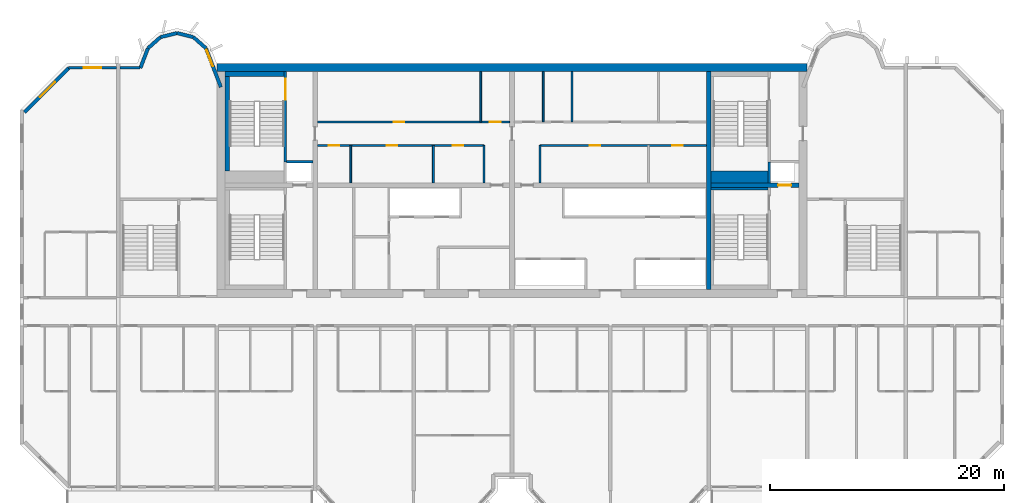
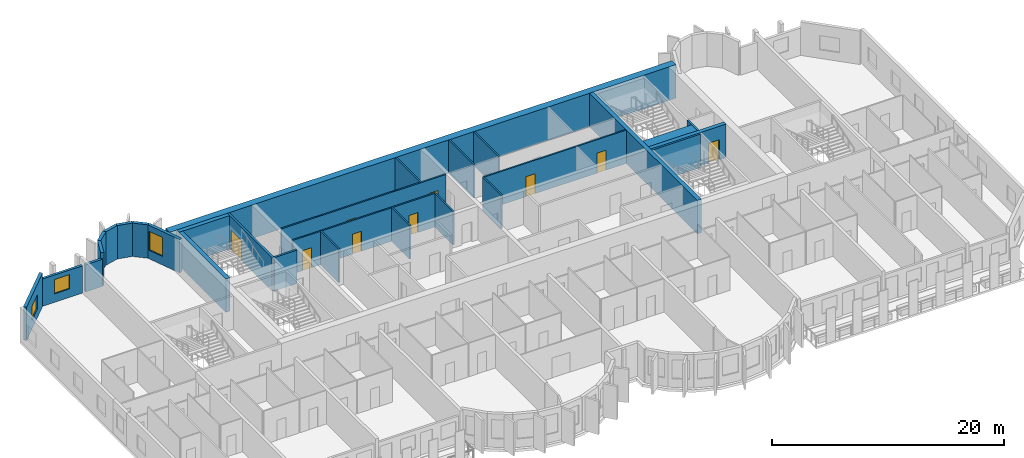
# One storey, part 7 of 13: 29 walls, 9 doors, 3 windows, 12 openings.
"""IFC4 building model written with IfcOpenShell, lengths in metres."""

from ifc_helpers import new_model, si_unit, direction, frame, frame_2d, origin, place, context, subcontext, project, spatial, rectangle, extrude, source, transform, mapped, material, layer, layer_set, type_object, element, fill, save


model = new_model("IFC4")

# Units and contexts
model_context = context("Model", 3, precision=1e-05, world=origin(), true_north=direction((0.0, 1.0)))
body_context = subcontext(model_context, "Body", "Model", "MODEL_VIEW")
ifc_project = project(units=[si_unit("LENGTHUNIT", "METRE"), si_unit("AREAUNIT", "SQUARE_METRE"), si_unit("VOLUMEUNIT", "CUBIC_METRE"), si_unit("PLANEANGLEUNIT", "RADIAN"), si_unit("MASSUNIT", "GRAM", prefix="KILO")], contexts=[model_context])

# Site, building, storey
site_placement = place(None, origin())
site = spatial("IfcSite", under=ifc_project, at=site_placement, CompositionType="ELEMENT")
building_placement = place(site_placement, origin())
building = spatial("IfcBuilding", under=site, at=building_placement, Name="Vanashikhar Sky Hotel", CompositionType="ELEMENT")
storey_placement = place(building_placement, frame((0.0, 0.0, 189.60009765625)))
storey = spatial("IfcBuildingStorey", under=building, at=storey_placement, Name="L46", CompositionType="ELEMENT", Elevation=189.60009765625)

# Walls
ifc_material_1 = material(Name="Concrete M60", Category="concrete")
ifc_layer_1 = layer(ifc_material_1, 0.39990234375)
ifc_layer_set_1 = layer_set([ifc_layer_1], Name="RC core inner wall 400 Concrete M60")
wall_type_1 = type_object("IfcWallType", Name="RC core inner wall 400 Concrete M60", PredefinedType="SHEAR", material=ifc_layer_set_1)
shared_shape_1 = source(origin(), body_context, "Body", "SweptSolid", [
    extrude(rectangle(XDim=18.60009765625, YDim=0.39990234375, at=frame_2d((9.300048828125, 0.0))), origin(), (0.0, 0.0, 1.0), 3.52001953125),
])
wall_1_placement = place(storey_placement, frame((67.199951171875, 22.699951171875, 0.0), z_axis=(0.0, 0.0, 1.0), x_axis=(0.0, 1.0, 0.0)))
element("IfcWall", 1, at=wall_1_placement, inside=storey, type_object=wall_type_1, Name="KW-L46-KX3", PredefinedType="SHEAR", context=body_context, shape_type="MappedRepresentation", body=[
    mapped(shared_shape_1, transform((0.0, 0.0, 0.0), scale=1.0)),
])
ifc_layer_2 = layer(ifc_material_1, 0.699951171875)
ifc_layer_set_2 = layer_set([ifc_layer_2], Name="RC core shell wall 700 Concrete M60")
wall_type_2 = type_object("IfcWallType", Name="RC core shell wall 700 Concrete M60", PredefinedType="SHEAR", material=ifc_layer_set_2)
shared_shape_2 = source(origin(), body_context, "Body", "SweptSolid", [
    extrude(rectangle(XDim=50.400146484375, YDim=0.699951171875, at=frame_2d((25.2001953125, 0.0))), origin(), (0.0, 0.0, 1.0), 3.52001953125),
])
wall_2_placement = place(storey_placement, frame((25.199951171875, 41.64990234375, 0.0), z_axis=(0.0, 0.0, 1.0), x_axis=(1.0, 0.0, 0.0)))
element("IfcWall", 2, at=wall_2_placement, inside=storey, type_object=wall_type_2, Name="KW-L46-KN", PredefinedType="SHEAR", context=body_context, shape_type="MappedRepresentation", body=[
    mapped(shared_shape_2, transform((0.0, 0.0, 0.0), scale=1.0)),
])

# Wall, opening, door
shared_shape_3 = source(origin(), body_context, "Body", "SweptSolid", [
    extrude(rectangle(XDim=7.5, YDim=0.39990234375, at=frame_2d((3.75, 0.0))), origin(), (0.0, 0.0, 1.0), 3.52001953125),
])
wall_3_placement = place(storey_placement, frame((67.39990234375, 31.60009765625, 0.0), z_axis=(0.0, 0.0, 1.0), x_axis=(1.0, 0.0, 0.0)))
wall_3 = element("IfcWall", 3, at=wall_3_placement, inside=storey, type_object=wall_type_1, Name="KW-L46-KY4", PredefinedType="SHEAR", context=body_context, shape_type="MappedRepresentation", body=[
    mapped(shared_shape_3, transform((0.0, 0.0, 0.0), scale=1.0)),
])
shared_shape_4 = source(origin(), body_context, "Body", "SweptSolid", [
    extrude(rectangle(XDim=1.10009765625, YDim=2.10009765625, at=frame_2d((0.550048828125, 1.050048828125))), frame((0.0, 0.2099609375, 0.0), z_axis=(0.0, -1.0, 0.0), x_axis=(1.0, 0.0, 0.0)), (0.0, 0.0, 1.0), 0.419921875),
])
opening_1_placement = place(wall_3_placement, frame((5.72509765625, 0.0, 0.0)))
opening_1 = element("IfcOpeningElement", 4, at=opening_1_placement, cuts=wall_3, Name="Opening LD", PredefinedType="OPENING", context=body_context, shape_type="MappedRepresentation", body=[
    mapped(shared_shape_4, transform((0.0, 0.0, 0.0), scale=1.0)),
])
ifc_material_2 = material(Name="Stainless steel", Category="steel")
door_type_1 = type_object("IfcDoorType", Name="Lift landing door 1100", OperationType="NOTDEFINED", PredefinedType="DOOR", material=ifc_material_2)
shared_shape_5 = source(origin(), body_context, "Body", "SweptSolid", [
    extrude(rectangle(XDim=1.10009765625, YDim=2.10009765625, at=frame_2d((0.550048828125, 1.050048828125))), frame((0.0, 0.02490234375, 0.0), z_axis=(0.0, -1.0, 0.0), x_axis=(1.0, 0.0, 0.0)), (0.0, 0.0, 1.0), 0.050048828125),
])
door_1_placement = place(opening_1_placement, origin())
door_1 = element("IfcDoor", 5, at=door_1_placement, inside=storey, type_object=door_type_1, Name="Lift landing door 1100", OperationType="SLIDING_TO_RIGHT", OverallHeight=2.10009765625, OverallWidth=1.10009765625, PredefinedType="DOOR", context=body_context, shape_type="MappedRepresentation", body=[
    mapped(shared_shape_5, transform((0.0, 0.0, 0.0), scale=1.0)),
])
fill(opening_1, door_1)

# Wall, opening, window
ifc_material_3 = material(Name="Concrete M50", Category="concrete")
ifc_layer_3 = layer(ifc_material_3, 0.300048828125)
ifc_layer_set_3 = layer_set([ifc_layer_3], Name="Lobe wall 300")
wall_type_3 = type_object("IfcWallType", Name="Lobe wall 300", PredefinedType="SOLIDWALL", material=ifc_layer_set_3)
shared_shape_6 = source(origin(), body_context, "Body", "SweptSolid", [
    extrude(rectangle(XDim=5.32568359375, YDim=0.300048828125, at=frame_2d((2.662841796875, 0.0))), origin(), (0.0, 0.0, 1.0), 3.52001953125),
])
wall_4_placement = place(storey_placement, frame((12.565673828125, 41.60009765625, 0.0), z_axis=(0.0, 0.0, 1.0), x_axis=(-0.707083859269, -0.707129702361, 0.0)))
wall_4 = element("IfcWall", 6, at=wall_4_placement, inside=storey, type_object=wall_type_3, Name="Corner wall", PredefinedType="SOLIDWALL", context=body_context, shape_type="MappedRepresentation", body=[
    mapped(shared_shape_6, transform((0.0, 0.0, 0.0), scale=1.0)),
])
shared_shape_7 = source(origin(), body_context, "Body", "SweptSolid", [
    extrude(rectangle(XDim=1.800048828125, YDim=1.5, at=frame_2d((0.89990234375, 0.75))), frame((0.0, 0.16015625, 0.0), z_axis=(0.0, -1.0, 0.0), x_axis=(1.0, 0.0, 0.0)), (0.0, 0.0, 1.0), 0.320068359375),
])
opening_2_placement = place(wall_4_placement, frame((1.689453125, 0.0, 0.89990234375)))
opening_2 = element("IfcOpeningElement", 7, at=opening_2_placement, cuts=wall_4, Name="Opening WN-4", PredefinedType="OPENING", context=body_context, shape_type="MappedRepresentation", body=[
    mapped(shared_shape_7, transform((0.0, 0.0, 0.0), scale=1.0)),
])
ifc_material_4 = material(Name="Glass", Category="glass")
window_type_1 = type_object("IfcWindowType", Name="Corner window 1800 x 1500", PartitioningType="SINGLE_PANEL", PredefinedType="WINDOW", material=ifc_material_4)
shared_shape_8 = source(origin(), body_context, "Body", "SweptSolid", [
    extrude(rectangle(XDim=1.800048828125, YDim=1.5, at=frame_2d((0.89990234375, 0.75))), frame((0.0, 0.030029296875, 0.0), z_axis=(0.0, -1.0, 0.0), x_axis=(1.0, 0.0, 0.0)), (0.0, 0.0, 1.0), 0.06005859375),
])
window_1_placement = place(opening_2_placement, origin())
window_1 = element("IfcWindow", 8, at=window_1_placement, inside=storey, type_object=window_type_1, Name="Window WN-4", OverallHeight=1.5, OverallWidth=1.800048828125, PartitioningType="SINGLE_PANEL", PredefinedType="WINDOW", context=body_context, shape_type="MappedRepresentation", body=[
    mapped(shared_shape_8, transform((0.0, 0.0, 0.0), scale=1.0)),
])
fill(opening_2, window_1)

shared_shape_9 = source(origin(), body_context, "Body", "SweptSolid", [
    extrude(rectangle(XDim=3.55908203125, YDim=0.300048828125, at=frame_2d((1.779541015625, 0.0))), origin(), (0.0, 0.0, 1.0), 3.52001953125),
])
wall_5_placement = place(storey_placement, frame((25.550048828125, 39.968505859375, 0.0), z_axis=(0.0, 0.0, 1.0), x_axis=(-0.35779745313, 0.933799219604, 0.0)))
wall_5 = element("IfcWall", 9, at=wall_5_placement, inside=storey, type_object=wall_type_3, Name="Lobe wall", PredefinedType="SOLIDWALL", context=body_context, shape_type="MappedRepresentation", body=[
    mapped(shared_shape_9, transform((0.0, 0.0, 0.0), scale=1.0)),
])
shared_shape_10 = source(origin(), body_context, "Body", "SweptSolid", [
    extrude(rectangle(XDim=1.5, YDim=2.0, at=frame_2d((0.75, 1.0))), frame((0.0, 0.16015625, 0.0), z_axis=(0.0, -1.0, 0.0), x_axis=(1.0, 0.0, 0.0)), (0.0, 0.0, 1.0), 0.320068359375),
])
opening_3_placement = place(wall_5_placement, frame((1.9033203125, 0.0, 0.89990234375)))
opening_3 = element("IfcOpeningElement", 10, at=opening_3_placement, cuts=wall_5, Name="Opening WN-2", PredefinedType="OPENING", context=body_context, shape_type="MappedRepresentation", body=[
    mapped(shared_shape_10, transform((0.0, 0.0, 0.0), scale=1.0)),
])
window_type_2 = type_object("IfcWindowType", Name="Lobe window 1500 x 2000", PartitioningType="SINGLE_PANEL", PredefinedType="WINDOW", material=ifc_material_4)
shared_shape_11 = source(origin(), body_context, "Body", "SweptSolid", [
    extrude(rectangle(XDim=1.5, YDim=2.0, at=frame_2d((0.75, 1.0))), frame((0.0, 0.030029296875, 0.0), z_axis=(0.0, -1.0, 0.0), x_axis=(1.0, 0.0, 0.0)), (0.0, 0.0, 1.0), 0.06005859375),
])
window_2_placement = place(opening_3_placement, origin())
window_2 = element("IfcWindow", 11, at=window_2_placement, inside=storey, type_object=window_type_2, Name="Window WN-2", OverallHeight=2.0, OverallWidth=1.5, PartitioningType="SINGLE_PANEL", PredefinedType="WINDOW", context=body_context, shape_type="MappedRepresentation", body=[
    mapped(shared_shape_11, transform((0.0, 0.0, 0.0), scale=1.0)),
])
fill(opening_3, window_2)

# Walls
shared_shape_12 = source(origin(), body_context, "Body", "SweptSolid", [
    extrude(rectangle(XDim=1.440185546875, YDim=0.300048828125, at=frame_2d((0.72021484375, 0.0))), origin(), (0.0, 0.0, 1.0), 3.52001953125),
])
wall_6_placement = place(storey_placement, frame((24.276611328125, 43.2919921875, 0.0), z_axis=(0.0, 0.0, 1.0), x_axis=(-0.749649827867, 0.661834673902, 0.0)))
element("IfcWall", 12, at=wall_6_placement, inside=storey, type_object=wall_type_3, Name="Lobe wall", PredefinedType="SOLIDWALL", context=body_context, shape_type="MappedRepresentation", body=[
    mapped(shared_shape_12, transform((0.0, 0.0, 0.0), scale=1.0)),
])
shared_shape_13 = source(origin(), body_context, "Body", "SweptSolid", [
    extrude(rectangle(XDim=1.4384765625, YDim=0.300048828125, at=frame_2d((0.71923828125, 0.0))), origin(), (0.0, 0.0, 1.0), 3.52001953125),
])
wall_7_placement = place(storey_placement, frame((23.197021484375, 44.2451171875, 0.0), z_axis=(0.0, 0.0, 1.0), x_axis=(-0.971152283879, 0.238460146601, 0.0)))
element("IfcWall", 13, at=wall_7_placement, inside=storey, type_object=wall_type_3, Name="Lobe wall", PredefinedType="SOLIDWALL", context=body_context, shape_type="MappedRepresentation", body=[
    mapped(shared_shape_13, transform((0.0, 0.0, 0.0), scale=1.0)),
])
shared_shape_14 = source(origin(), body_context, "Body", "SweptSolid", [
    extrude(rectangle(XDim=1.438720703125, YDim=0.300048828125, at=frame_2d((0.71923828125, 0.0))), origin(), (0.0, 0.0, 1.0), 3.52001953125),
])
wall_8_placement = place(storey_placement, frame((21.800048828125, 44.588134765625, 0.0), z_axis=(0.0, 0.0, 1.0), x_axis=(-0.971161932466, -0.238420848351, 0.0)))
element("IfcWall", 14, at=wall_8_placement, inside=storey, type_object=wall_type_3, Name="Lobe wall", PredefinedType="SOLIDWALL", context=body_context, shape_type="MappedRepresentation", body=[
    mapped(shared_shape_14, transform((0.0, 0.0, 0.0), scale=1.0)),
])
shared_shape_15 = source(origin(), body_context, "Body", "SweptSolid", [
    extrude(rectangle(XDim=1.43994140625, YDim=0.300048828125, at=frame_2d((0.719970703125, 0.0))), origin(), (0.0, 0.0, 1.0), 3.52001953125),
])
wall_9_placement = place(storey_placement, frame((20.40283203125, 44.2451171875, 0.0), z_axis=(0.0, 0.0, 1.0), x_axis=(-0.74957555648, -0.661918790432, 0.0)))
element("IfcWall", 15, at=wall_9_placement, inside=storey, type_object=wall_type_3, Name="Lobe wall", PredefinedType="SOLIDWALL", context=body_context, shape_type="MappedRepresentation", body=[
    mapped(shared_shape_15, transform((0.0, 0.0, 0.0), scale=1.0)),
])
shared_shape_16 = source(origin(), body_context, "Body", "SweptSolid", [
    extrude(rectangle(XDim=1.81201171875, YDim=0.300048828125, at=frame_2d((0.906005859375, 0.0))), origin(), (0.0, 0.0, 1.0), 3.52001953125),
])
wall_10_placement = place(storey_placement, frame((19.323486328125, 43.2919921875, 0.0), z_axis=(0.0, 0.0, 1.0), x_axis=(-0.357877270961, -0.93376863244, 0.0)))
element("IfcWall", 16, at=wall_10_placement, inside=storey, type_object=wall_type_3, Name="Lobe wall", PredefinedType="SOLIDWALL", context=body_context, shape_type="MappedRepresentation", body=[
    mapped(shared_shape_16, transform((0.0, 0.0, 0.0), scale=1.0)),
])
ifc_layer_4 = layer(ifc_material_3, 0.25)
ifc_layer_set_4 = layer_set([ifc_layer_4], Name="Rear and end board-marked wall 250")
wall_type_4 = type_object("IfcWallType", Name="Rear and end board-marked wall 250", PredefinedType="SOLIDWALL", material=ifc_layer_set_4)
shared_shape_17 = source(origin(), body_context, "Body", "SweptSolid", [
    extrude(rectangle(XDim=1.7080078125, YDim=0.25, at=frame_2d((0.85400390625, 0.0))), origin(), (0.0, 0.0, 1.0), 2.869873046875),
])
wall_11_placement = place(storey_placement, frame((18.657958984375, 41.625, 0.0), z_axis=(0.0, 0.0, 1.0), x_axis=(-1.0, 0.0, 0.0)))
element("IfcWall", 17, at=wall_11_placement, inside=storey, type_object=wall_type_4, Name="Rear board-marked wall", PredefinedType="SOLIDWALL", context=body_context, shape_type="MappedRepresentation", body=[
    mapped(shared_shape_17, transform((0.0, 0.0, 0.0), scale=1.0)),
])

# Wall, opening, window
shared_shape_18 = source(origin(), body_context, "Body", "SweptSolid", [
    extrude(rectangle(XDim=4.094482421875, YDim=0.25, at=frame_2d((2.04736328125, 0.0))), origin(), (0.0, 0.0, 1.0), 2.869873046875),
])
wall_12_placement = place(storey_placement, frame((16.64990234375, 41.625, 0.0), z_axis=(0.0, 0.0, 1.0), x_axis=(-1.0, 0.0, 0.0)))
wall_12 = element("IfcWall", 18, at=wall_12_placement, inside=storey, type_object=wall_type_4, Name="Rear board-marked wall", PredefinedType="SOLIDWALL", context=body_context, shape_type="MappedRepresentation", body=[
    mapped(shared_shape_18, transform((0.0, 0.0, 0.0), scale=1.0)),
])
shared_shape_19 = source(origin(), body_context, "Body", "SweptSolid", [
    extrude(rectangle(XDim=1.5, YDim=1.5, at=frame_2d((0.75, 0.75))), frame((0.0, 0.135009765625, 0.0), z_axis=(0.0, -1.0, 0.0), x_axis=(1.0, 0.0, 0.0)), (0.0, 0.0, 1.0), 0.27001953125),
])
opening_4_placement = place(wall_12_placement, frame((1.29736328125, 0.0, 0.89990234375)))
opening_4 = element("IfcOpeningElement", 19, at=opening_4_placement, cuts=wall_12, Name="Opening WN-1", PredefinedType="OPENING", context=body_context, shape_type="MappedRepresentation", body=[
    mapped(shared_shape_19, transform((0.0, 0.0, 0.0), scale=1.0)),
])
window_type_3 = type_object("IfcWindowType", Name="Window 1500 x 1500", PartitioningType="SINGLE_PANEL", PredefinedType="WINDOW", material=ifc_material_4)
shared_shape_20 = source(origin(), body_context, "Body", "SweptSolid", [
    extrude(rectangle(XDim=1.5, YDim=1.5, at=frame_2d((0.75, 0.75))), frame((0.0, 0.030029296875, 0.0), z_axis=(0.0, -1.0, 0.0), x_axis=(1.0, 0.0, 0.0)), (0.0, 0.0, 1.0), 0.06005859375),
])
window_3_placement = place(opening_4_placement, origin())
window_3 = element("IfcWindow", 20, at=window_3_placement, inside=storey, type_object=window_type_3, Name="Window WN-1", OverallHeight=1.5, OverallWidth=1.5, PartitioningType="SINGLE_PANEL", PredefinedType="WINDOW", context=body_context, shape_type="MappedRepresentation", body=[
    mapped(shared_shape_20, transform((0.0, 0.0, 0.0), scale=1.0)),
])
fill(opening_4, window_3)

# Walls
ifc_material_5 = material(Name="Concrete M40", Category="concrete")
ifc_layer_5 = layer(ifc_material_5, 0.199951171875)
ifc_layer_set_5 = layer_set([ifc_layer_5], Name="Shaft wall 200")
wall_type_5 = type_object("IfcWallType", Name="Shaft wall 200", PredefinedType="SOLIDWALL", material=ifc_layer_set_5)
shared_shape_21 = source(origin(), body_context, "Body", "SweptSolid", [
    extrude(rectangle(XDim=2.25, YDim=0.199951171875, at=frame_2d((1.125, 0.0))), origin(), (0.0, 0.0, 1.0), 3.52001953125),
])
wall_13_placement = place(storey_placement, frame((31.14990234375, 33.60009765625, 0.0), z_axis=(0.0, 0.0, 1.0), x_axis=(1.0, 0.0, 0.0)))
element("IfcWall", 21, at=wall_13_placement, inside=storey, type_object=wall_type_5, Name="Shaft wall 200", PredefinedType="SOLIDWALL", context=body_context, shape_type="MappedRepresentation", body=[
    mapped(shared_shape_21, transform((0.0, 0.0, 0.0), scale=1.0)),
])
ifc_material_6 = material(Name="Gypsum board partition")
ifc_layer_6 = layer(ifc_material_6, 0.14990234375)
ifc_layer_set_6 = layer_set([ifc_layer_6], Name="Service partition 150")
wall_type_6 = type_object("IfcWallType", Name="Service partition 150", PredefinedType="PARTITIONING", material=ifc_layer_set_6)
shared_shape_22 = source(origin(), body_context, "Body", "SweptSolid", [
    extrude(rectangle(XDim=3.199951171875, YDim=0.14990234375, at=frame_2d((1.60009765625, 0.0))), origin(), (0.0, 0.0, 1.0), 3.52001953125),
])
for number, where, z_axis, x_axis, name in (
    (22, (48.0, 31.800048828125, 0.0), (0.0, 0.0, 1.0), (0.0, 1.0, 0.0), "Service partition 150"),
    (23, (36.625, 31.800048828125, 0.0), (0.0, 0.0, 1.0), (0.0, 1.0, 0.0), "Service partition 150"),
    (24, (43.68798828125, 31.800048828125, 0.0), (0.0, 0.0, 1.0), (0.0, 1.0, 0.0), "Service partition 150"),
    (25, (52.800048828125, 31.800048828125, 0.0), (0.0, 0.0, 1.0), (0.0, 1.0, 0.0), "Service partition 150"),
):
    element("IfcWall", number, at=place(storey_placement, frame(where, z_axis=z_axis, x_axis=x_axis)), inside=storey, type_object=wall_type_6, Name=name, PredefinedType="PARTITIONING", context=body_context, shape_type="MappedRepresentation", body=[
        mapped(shared_shape_22, transform((0.0, 0.0, 0.0), scale=1.0)),
    ])

# Wall, openings, doors
shared_shape_23 = source(origin(), body_context, "Body", "SweptSolid", [
    extrude(rectangle(XDim=14.199951171875, YDim=0.14990234375, at=frame_2d((7.10009765625, 0.0))), origin(), (0.0, 0.0, 1.0), 3.52001953125),
])
wall_14_placement = place(storey_placement, frame((33.800048828125, 35.0, 0.0), z_axis=(0.0, 0.0, 1.0), x_axis=(1.0, 0.0, 0.0)))
wall_14 = element("IfcWall", 26, at=wall_14_placement, inside=storey, type_object=wall_type_6, Name="Service partition 150", PredefinedType="PARTITIONING", context=body_context, shape_type="MappedRepresentation", body=[
    mapped(shared_shape_23, transform((0.0, 0.0, 0.0), scale=1.0)),
])
shared_shape_24 = source(origin(), body_context, "Body", "SweptSolid", [
    extrude(rectangle(XDim=0.89990234375, YDim=2.10009765625, at=frame_2d((0.449951171875, 1.050048828125))), frame((0.0, 0.0849609375, 0.0), z_axis=(0.0, -1.0, 0.0), x_axis=(1.0, 0.0, 0.0)), (0.0, 0.0, 1.0), 0.169921875),
])
opening_5_placement = place(wall_14_placement, frame((0.9619140625, 0.0, 0.0)))
opening_5 = element("IfcOpeningElement", 27, at=opening_5_placement, cuts=wall_14, Name="Opening DC-4-A", PredefinedType="OPENING", context=body_context, shape_type="MappedRepresentation", body=[
    mapped(shared_shape_24, transform((0.0, 0.0, 0.0), scale=1.0)),
])
opening_6_placement = place(wall_14_placement, frame((5.906005859375, 0.0, 0.0)))
opening_6 = element("IfcOpeningElement", 28, at=opening_6_placement, cuts=wall_14, Name="Opening DC-4-A", PredefinedType="OPENING", context=body_context, shape_type="MappedRepresentation", body=[
    mapped(shared_shape_24, transform((0.0, 0.0, 0.0), scale=1.0)),
])
opening_7_placement = place(wall_14_placement, frame((11.555908203125, 0.0, 0.0)))
opening_7 = element("IfcOpeningElement", 29, at=opening_7_placement, cuts=wall_14, Name="Opening DC-4-A", PredefinedType="OPENING", context=body_context, shape_type="MappedRepresentation", body=[
    mapped(shared_shape_24, transform((0.0, 0.0, 0.0), scale=1.0)),
])
ifc_material_7 = material(Name="Steel", Category="steel")
door_type_2 = type_object("IfcDoorType", Name="Service door 900 FD60", OperationType="NOTDEFINED", PredefinedType="DOOR", material=ifc_material_7)
shared_shape_25 = source(origin(), body_context, "Body", "SweptSolid", [
    extrude(rectangle(XDim=0.89990234375, YDim=2.10009765625, at=frame_2d((0.449951171875, 1.050048828125))), frame((0.0, 0.02490234375, 0.0), z_axis=(0.0, -1.0, 0.0), x_axis=(1.0, 0.0, 0.0)), (0.0, 0.0, 1.0), 0.050048828125),
])
door_2_placement = place(opening_5_placement, origin())
door_2 = element("IfcDoor", 30, at=door_2_placement, inside=storey, type_object=door_type_2, Name="Service door 900 FD60", OperationType="SINGLE_SWING_LEFT", OverallHeight=2.10009765625, OverallWidth=0.89990234375, PredefinedType="DOOR", context=body_context, shape_type="MappedRepresentation", body=[
    mapped(shared_shape_25, transform((0.0, 0.0, 0.0), scale=1.0)),
])
fill(opening_5, door_2)
door_3_placement = place(opening_6_placement, origin())
door_3 = element("IfcDoor", 31, at=door_3_placement, inside=storey, type_object=door_type_2, Name="Service door 900 FD60", OperationType="SINGLE_SWING_RIGHT", OverallHeight=2.10009765625, OverallWidth=0.89990234375, PredefinedType="DOOR", context=body_context, shape_type="MappedRepresentation", body=[
    mapped(shared_shape_25, transform((0.0, 0.0, 0.0), scale=1.0)),
])
fill(opening_6, door_3)
door_4_placement = place(opening_7_placement, origin())
door_4 = element("IfcDoor", 32, at=door_4_placement, inside=storey, type_object=door_type_2, Name="Service door 900 FD60", OperationType="SINGLE_SWING_LEFT", OverallHeight=2.10009765625, OverallWidth=0.89990234375, PredefinedType="DOOR", context=body_context, shape_type="MappedRepresentation", body=[
    mapped(shared_shape_25, transform((0.0, 0.0, 0.0), scale=1.0)),
])
fill(opening_7, door_4)

wall_15_placement = place(storey_placement, frame((67.0, 35.0, 0.0), z_axis=(0.0, 0.0, 1.0), x_axis=(-1.0, 0.0, 0.0)))
wall_15 = element("IfcWall", 33, at=wall_15_placement, inside=storey, type_object=wall_type_6, Name="Service partition 150", PredefinedType="PARTITIONING", context=body_context, shape_type="MappedRepresentation", body=[
    mapped(shared_shape_23, transform((0.0, 0.0, 0.0), scale=1.0)),
])
opening_8_placement = place(wall_15_placement, frame((2.02197265625, 0.0, 0.0)))
opening_8 = element("IfcOpeningElement", 34, at=opening_8_placement, cuts=wall_15, Name="Opening DC-4-A", PredefinedType="OPENING", context=body_context, shape_type="MappedRepresentation", body=[
    mapped(shared_shape_24, transform((0.0, 0.0, 0.0), scale=1.0)),
])
opening_9_placement = place(wall_15_placement, frame((9.083984375, 0.0, 0.0)))
opening_9 = element("IfcOpeningElement", 35, at=opening_9_placement, cuts=wall_15, Name="Opening DC-4-A", PredefinedType="OPENING", context=body_context, shape_type="MappedRepresentation", body=[
    mapped(shared_shape_24, transform((0.0, 0.0, 0.0), scale=1.0)),
])
door_5_placement = place(opening_8_placement, origin())
door_5 = element("IfcDoor", 36, at=door_5_placement, inside=storey, type_object=door_type_2, Name="Service door 900 FD60", OperationType="SINGLE_SWING_LEFT", OverallHeight=2.10009765625, OverallWidth=0.89990234375, PredefinedType="DOOR", context=body_context, shape_type="MappedRepresentation", body=[
    mapped(shared_shape_25, transform((0.0, 0.0, 0.0), scale=1.0)),
])
fill(opening_8, door_5)
door_6_placement = place(opening_9_placement, origin())
door_6 = element("IfcDoor", 37, at=door_6_placement, inside=storey, type_object=door_type_2, Name="Service door 900 FD60", OperationType="SINGLE_SWING_RIGHT", OverallHeight=2.10009765625, OverallWidth=0.89990234375, PredefinedType="DOOR", context=body_context, shape_type="MappedRepresentation", body=[
    mapped(shared_shape_25, transform((0.0, 0.0, 0.0), scale=1.0)),
])
fill(opening_9, door_6)

shared_shape_26 = source(origin(), body_context, "Body", "SweptSolid", [
    extrude(rectangle(XDim=16.39990234375, YDim=0.14990234375, at=frame_2d((8.199951171875, 0.0))), origin(), (0.0, 0.0, 1.0), 3.52001953125),
])
wall_16_placement = place(storey_placement, frame((33.800048828125, 37.0, 0.0), z_axis=(0.0, 0.0, 1.0), x_axis=(1.0, 0.0, 0.0)))
wall_16 = element("IfcWall", 38, at=wall_16_placement, inside=storey, type_object=wall_type_6, Name="Service partition 150", PredefinedType="PARTITIONING", context=body_context, shape_type="MappedRepresentation", body=[
    mapped(shared_shape_26, transform((0.0, 0.0, 0.0), scale=1.0)),
])
opening_10_placement = place(wall_16_placement, frame((6.52001953125, 0.0, 0.0)))
opening_10 = element("IfcOpeningElement", 39, at=opening_10_placement, cuts=wall_16, Name="Opening DC-4-A", PredefinedType="OPENING", context=body_context, shape_type="MappedRepresentation", body=[
    mapped(shared_shape_24, transform((0.0, 0.0, 0.0), scale=1.0)),
])
opening_11_placement = place(wall_16_placement, frame((14.719970703125, 0.0, 0.0)))
opening_11 = element("IfcOpeningElement", 40, at=opening_11_placement, cuts=wall_16, Name="Opening DC-4-A", PredefinedType="OPENING", context=body_context, shape_type="MappedRepresentation", body=[
    mapped(shared_shape_24, transform((0.0, 0.0, 0.0), scale=1.0)),
])
door_7_placement = place(opening_10_placement, origin())
door_7 = element("IfcDoor", 41, at=door_7_placement, inside=storey, type_object=door_type_2, Name="Service door 900 FD60", OperationType="SINGLE_SWING_RIGHT", OverallHeight=2.10009765625, OverallWidth=0.89990234375, PredefinedType="DOOR", context=body_context, shape_type="MappedRepresentation", body=[
    mapped(shared_shape_25, transform((0.0, 0.0, 0.0), scale=1.0)),
])
fill(opening_10, door_7)
door_8_placement = place(opening_11_placement, origin())
door_8 = element("IfcDoor", 42, at=door_8_placement, inside=storey, type_object=door_type_2, Name="Service door 900 FD60", OperationType="SINGLE_SWING_LEFT", OverallHeight=2.10009765625, OverallWidth=0.89990234375, PredefinedType="DOOR", context=body_context, shape_type="MappedRepresentation", body=[
    mapped(shared_shape_25, transform((0.0, 0.0, 0.0), scale=1.0)),
])
fill(opening_11, door_8)

# Walls
shared_shape_27 = source(origin(), body_context, "Body", "SweptSolid", [
    extrude(rectangle(XDim=4.300048828125, YDim=0.14990234375, at=frame_2d((2.14990234375, 0.0))), origin(), (0.0, 0.0, 1.0), 3.52001953125),
])
for number, where, z_axis, x_axis, name in (
    (43, (47.739990234375, 37.0, 0.0), (0.0, 0.0, 1.0), (0.0, 1.0, 0.0), "Service partition 150"),
    (44, (55.52001953125, 37.0, 0.0), (0.0, 0.0, 1.0), (0.0, 1.0, 0.0), "Service partition 150"),
    (45, (53.06005859375, 37.0, 0.0), (0.0, 0.0, 1.0), (0.0, 1.0, 0.0), "Service partition 150"),
):
    element("IfcWall", number, at=place(storey_placement, frame(where, z_axis=z_axis, x_axis=x_axis)), inside=storey, type_object=wall_type_6, Name=name, PredefinedType="PARTITIONING", context=body_context, shape_type="MappedRepresentation", body=[
        mapped(shared_shape_27, transform((0.0, 0.0, 0.0), scale=1.0)),
    ])
shared_shape_28 = source(origin(), body_context, "Body", "SweptSolid", [
    extrude(rectangle(XDim=1.800048828125, YDim=0.199951171875, at=frame_2d((0.89990234375, 0.0))), origin(), (0.0, 0.0, 1.0), 3.52001953125),
])
wall_17_placement = place(storey_placement, frame((72.35009765625, 31.800048828125, 0.0), z_axis=(0.0, 0.0, 1.0), x_axis=(0.0, 1.0, 0.0)))
element("IfcWall", 46, at=wall_17_placement, inside=storey, type_object=wall_type_5, Name="Shaft wall 200", PredefinedType="SOLIDWALL", context=body_context, shape_type="MappedRepresentation", body=[
    mapped(shared_shape_28, transform((0.0, 0.0, 0.0), scale=1.0)),
])

# Wall, opening, door
ifc_layer_7 = layer(ifc_material_3, 0.199951171875)
ifc_layer_set_7 = layer_set([ifc_layer_7], Name="Stair wall 200")
wall_type_7 = type_object("IfcWallType", Name="Stair wall 200", PredefinedType="SOLIDWALL", material=ifc_layer_set_7)
shared_shape_29 = source(origin(), body_context, "Body", "SweptSolid", [
    extrude(rectangle(XDim=7.699951171875, YDim=0.199951171875, at=frame_2d((3.85009765625, 0.0))), origin(), (0.0, 0.0, 1.0), 3.52001953125),
])
wall_18_placement = place(storey_placement, frame((31.050048828125, 33.60009765625, 0.0), z_axis=(0.0, 0.0, 1.0), x_axis=(0.0, 1.0, 0.0)))
wall_18 = element("IfcWall", 47, at=wall_18_placement, inside=storey, type_object=wall_type_7, Name="Stair wall 200", PredefinedType="SOLIDWALL", context=body_context, shape_type="MappedRepresentation", body=[
    mapped(shared_shape_29, transform((0.0, 0.0, 0.0), scale=1.0)),
])
shared_shape_30 = source(origin(), body_context, "Body", "SweptSolid", [
    extrude(rectangle(XDim=1.800048828125, YDim=2.10009765625, at=frame_2d((0.89990234375, 1.050048828125))), frame((0.0, 0.10986328125, 0.0), z_axis=(0.0, -1.0, 0.0), x_axis=(1.0, 0.0, 0.0)), (0.0, 0.0, 1.0), 0.219970703125),
])
opening_12_placement = place(wall_18_placement, frame((5.300048828125, 0.0, 0.0)))
opening_12 = element("IfcOpeningElement", 48, at=opening_12_placement, cuts=wall_18, Name="Opening DC-1-A", PredefinedType="OPENING", context=body_context, shape_type="MappedRepresentation", body=[
    mapped(shared_shape_30, transform((0.0, 0.0, 0.0), scale=1.0)),
])
door_type_3 = type_object("IfcDoorType", Name="Stair door 1800 FD120", OperationType="NOTDEFINED", PredefinedType="DOOR", material=ifc_material_7)
shared_shape_31 = source(origin(), body_context, "Body", "SweptSolid", [
    extrude(rectangle(XDim=1.800048828125, YDim=2.10009765625, at=frame_2d((0.89990234375, 1.050048828125))), frame((0.0, 0.02490234375, 0.0), z_axis=(0.0, -1.0, 0.0), x_axis=(1.0, 0.0, 0.0)), (0.0, 0.0, 1.0), 0.050048828125),
])
door_9_placement = place(opening_12_placement, origin())
door_9 = element("IfcDoor", 49, at=door_9_placement, inside=storey, type_object=door_type_3, Name="Stair door 1800 FD120", OperationType="SINGLE_SWING_LEFT", OverallHeight=2.10009765625, OverallWidth=1.800048828125, PredefinedType="DOOR", context=body_context, shape_type="MappedRepresentation", body=[
    mapped(shared_shape_31, transform((0.0, 0.0, 0.0), scale=1.0)),
])
fill(opening_12, door_9)

# Walls
ifc_layer_8 = layer(ifc_material_3, 0.39990234375)
ifc_layer_set_8 = layer_set([ifc_layer_8], Name="Stair infill wall 400")
wall_type_8 = type_object("IfcWallType", Name="Stair infill wall 400", PredefinedType="SOLIDWALL", material=ifc_layer_set_8)
shared_shape_32 = source(origin(), body_context, "Body", "SweptSolid", [
    extrude(rectangle(XDim=5.050048828125, YDim=0.39990234375, at=frame_2d((2.52490234375, 0.0))), origin(), (0.0, 0.0, 1.0), 3.52001953125),
])
wall_19_placement = place(storey_placement, frame((25.89990234375, 41.10009765625, 0.0), z_axis=(0.0, 0.0, 1.0), x_axis=(1.0, 0.0, 0.0)))
element("IfcWall", 50, at=wall_19_placement, inside=storey, type_object=wall_type_8, Name="Stair infill wall 400", PredefinedType="SOLIDWALL", context=body_context, shape_type="MappedRepresentation", body=[
    mapped(shared_shape_32, transform((0.0, 0.0, 0.0), scale=1.0)),
])
shared_shape_33 = source(origin(), body_context, "Body", "SweptSolid", [
    extrude(rectangle(XDim=8.099853515625, YDim=0.39990234375, at=frame_2d((4.0498046875, 0.0))), origin(), (0.0, 0.0, 1.0), 3.52001953125),
])
wall_20_placement = place(storey_placement, frame((26.10009765625, 32.800048828125, 0.0), z_axis=(0.0, 0.0, 1.0), x_axis=(0.0, 1.0, 0.0)))
element("IfcWall", 51, at=wall_20_placement, inside=storey, type_object=wall_type_8, Name="Stair infill wall 400", PredefinedType="SOLIDWALL", context=body_context, shape_type="MappedRepresentation", body=[
    mapped(shared_shape_33, transform((0.0, 0.0, 0.0), scale=1.0)),
])
ifc_layer_9 = layer(ifc_material_3, 0.199951171875)
ifc_layer_set_9 = layer_set([ifc_layer_9], Name="Stair infill wall 200")
wall_type_9 = type_object("IfcWallType", Name="Stair infill wall 200", PredefinedType="SOLIDWALL", material=ifc_layer_set_9)
shared_shape_34 = source(origin(), body_context, "Body", "SweptSolid", [
    extrude(rectangle(XDim=4.85009765625, YDim=0.199951171875, at=frame_2d((2.425048828125, 0.0))), origin(), (0.0, 0.0, 1.0), 3.52001953125),
])
wall_21_placement = place(storey_placement, frame((67.39990234375, 31.300048828125, 0.0), z_axis=(0.0, 0.0, 1.0), x_axis=(1.0, 0.0, 0.0)))
element("IfcWall", 52, at=wall_21_placement, inside=storey, type_object=wall_type_9, Name="Stair infill wall 200", PredefinedType="SOLIDWALL", context=body_context, shape_type="MappedRepresentation", body=[
    mapped(shared_shape_34, transform((0.0, 0.0, 0.0), scale=1.0)),
])
ifc_layer_10 = layer(ifc_material_3, 1.0)
ifc_layer_set_10 = layer_set([ifc_layer_10], Name="Stair infill wall 1000")
wall_type_10 = type_object("IfcWallType", Name="Stair infill wall 1000", PredefinedType="SOLIDWALL", material=ifc_layer_set_10)
shared_shape_35 = source(origin(), body_context, "Body", "SweptSolid", [
    extrude(rectangle(XDim=4.85009765625, YDim=1.0, at=frame_2d((2.425048828125, 0.0))), origin(), (0.0, 0.0, 1.0), 3.52001953125),
])
wall_22_placement = place(storey_placement, frame((67.39990234375, 32.300048828125, 0.0), z_axis=(0.0, 0.0, 1.0), x_axis=(1.0, 0.0, 0.0)))
element("IfcWall", 53, at=wall_22_placement, inside=storey, type_object=wall_type_10, Name="Stair infill wall 1000", PredefinedType="SOLIDWALL", context=body_context, shape_type="MappedRepresentation", body=[
    mapped(shared_shape_35, transform((0.0, 0.0, 0.0), scale=1.0)),
])

save(model, "model.ifc")
